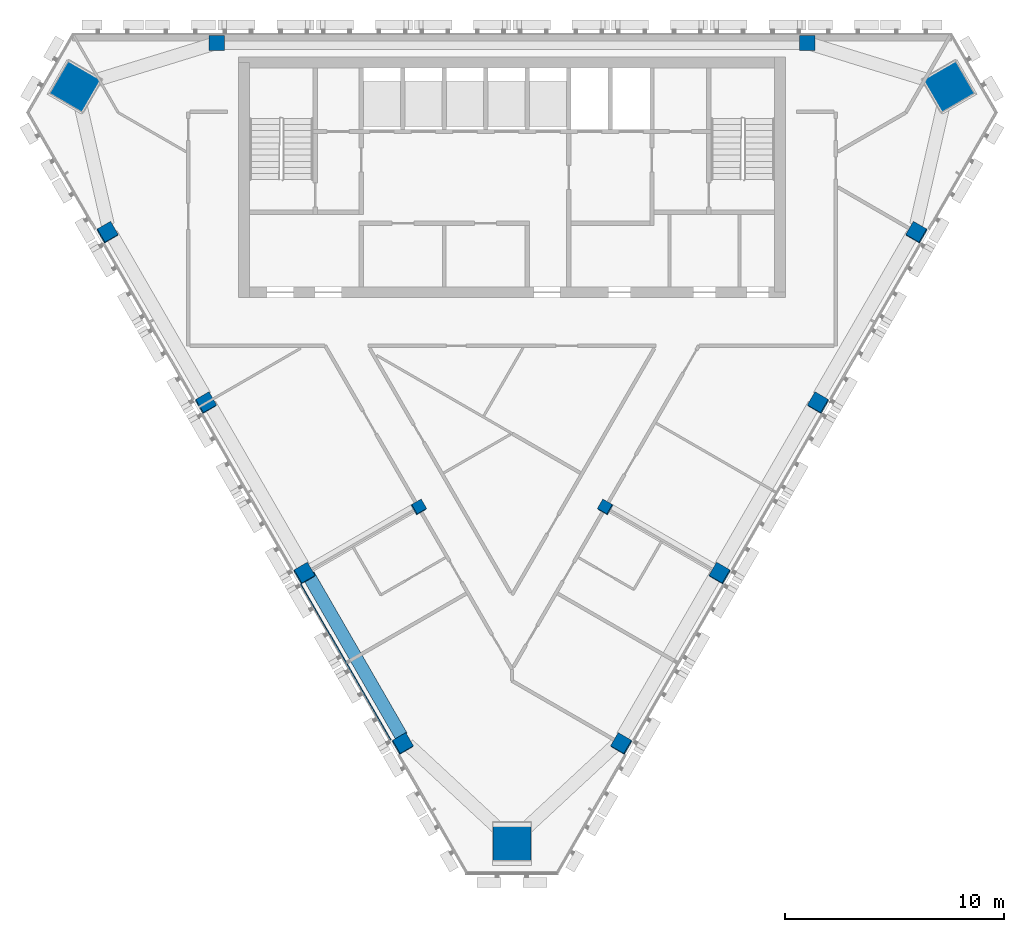
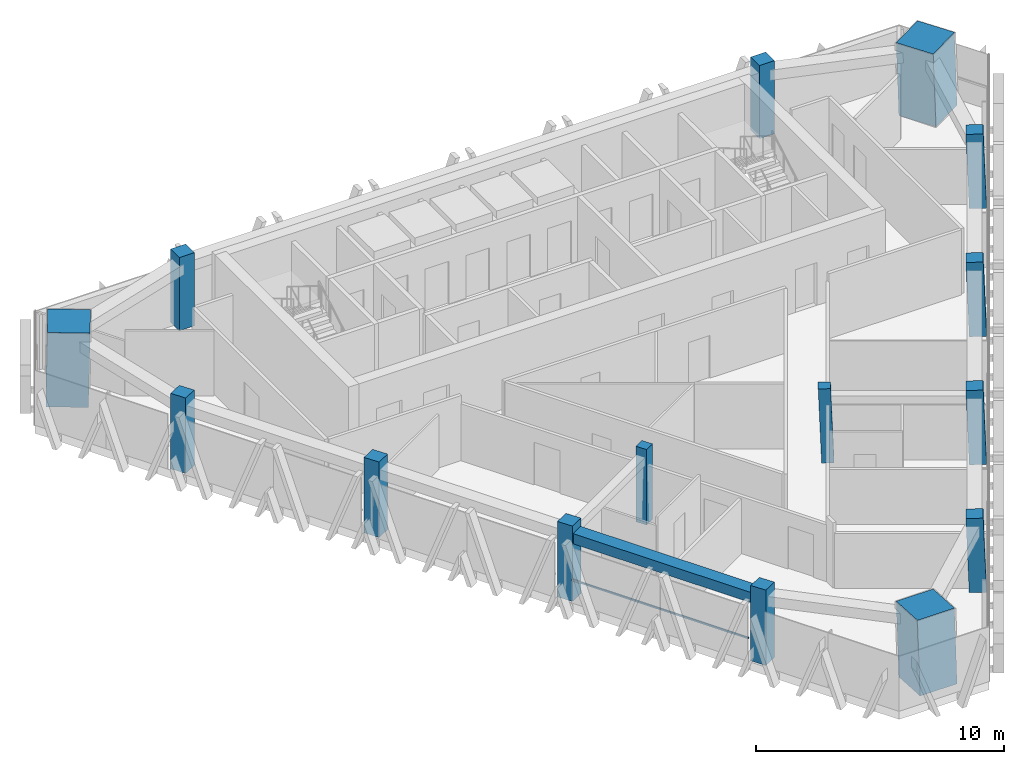
# One storey, part 1 of 12: 15 columns, 1 beam, 1 member, 1 element without a shape of its own.
"""IFC4 building model written with IfcOpenShell, lengths in metres."""

import ifcopenshell
import ifcopenshell.guid

model = None  # the IFC model being written
_history = None  # IfcOwnerHistory: only IFC2X3 demands one
_inside = {}  # id of a spatial element -> (the spatial element, [elements in it])
_under = {}  # id of a project, library or spatial element -> (it, [spatial elements below it])
_declared = {}  # id of a project -> (the project, [libraries it declares])
_typed = {}  # id of a type object -> (the type object, [elements of that type])
_made_of = {}  # id of a material, layer set ... -> (it, [elements and type objects made of it])


def new_model(schema):
    """Start an empty IFC model of exactly this schema.

    Asked for "IFC4X3", IfcOpenShell would pick the latest addendum, in which some entities
    have other attributes; the version numbers below select the first issue.
    IFC2X3 requires an IfcOwnerHistory on every rooted entity: one is made here for all.
    """
    global model, _history
    if schema == "IFC4X3":
        model = ifcopenshell.file(schema_version=(4, 3, 0, 0))
    else:
        model = ifcopenshell.file(schema=schema)
    _inside.clear()
    _under.clear()
    _declared.clear()
    _typed.clear()
    _made_of.clear()
    _history = None
    if model.schema == "IFC2X3":
        org = make("IfcOrganization", Name="unknown")
        user = make(
            "IfcPersonAndOrganization",
            ThePerson=make("IfcPerson", FamilyName="unknown"),
            TheOrganization=org,
        )
        app = make(
            "IfcApplication",
            ApplicationDeveloper=org,
            Version="unknown",
            ApplicationFullName="unknown",
            ApplicationIdentifier="unknown",
        )
        _history = make(
            "IfcOwnerHistory",
            OwningUser=user,
            OwningApplication=app,
            ChangeAction="ADDED",
            CreationDate=0,
        )
    return model


def make(cls, **values):
    """One entity of the class cls with the attributes given. An attribute that is None is left unset."""
    return model.create_entity(
        cls, **{name: value for name, value in values.items() if value is not None}
    )


def rooted(cls, **values):
    """An entity with a GlobalId (a new one), such as an element, a storey or a relation."""
    return make(cls, GlobalId=ifcopenshell.guid.new(), OwnerHistory=_history, **values)


def si_unit(unit_type, name, prefix=None):
    """IfcSIUnit, for example si_unit("LENGTHUNIT", "METRE", prefix="MILLI")."""
    return make("IfcSIUnit", UnitType=unit_type, Prefix=prefix, Name=name)


def assignment(units):
    """IfcUnitAssignment: the units of a project."""
    return None if units is None else make("IfcUnitAssignment", Units=units)


def point(xyz):
    """IfcCartesianPoint."""
    return None if xyz is None else make("IfcCartesianPoint", Coordinates=xyz)


def direction(xyz):
    """IfcDirection."""
    return None if xyz is None else make("IfcDirection", DirectionRatios=xyz)


def frame(location, z_axis=None, x_axis=None):
    """IfcAxis2Placement3D, a coordinate frame: its origin and axes. An axis left out is left unset."""
    return make(
        "IfcAxis2Placement3D",
        Location=point(location),
        Axis=direction(z_axis),
        RefDirection=direction(x_axis),
    )


def frame_2d(location, x_axis=None):
    """IfcAxis2Placement2D, a coordinate frame in the plane: its origin and x axis."""
    return make(
        "IfcAxis2Placement2D", Location=point(location), RefDirection=direction(x_axis)
    )


def origin():
    """The frame at (0, 0, 0) with its axes left unset."""
    return frame((0.0, 0.0, 0.0))


def origin_2d():
    """The frame at (0, 0) in the plane with its x axis left unset."""
    return frame_2d((0.0, 0.0))


def place(relative_to, where):
    """IfcLocalPlacement: puts the frame where relative to a parent placement (None: the world)."""
    return make(
        "IfcLocalPlacement", PlacementRelTo=relative_to, RelativePlacement=where
    )


def context(
    kind, dimensions, precision=None, world=None, true_north=None, identifier=None
):
    """IfcGeometricRepresentationContext, for example the 3D "Model" context."""
    return make(
        "IfcGeometricRepresentationContext",
        ContextIdentifier=identifier,
        ContextType=kind,
        CoordinateSpaceDimension=dimensions,
        Precision=precision,
        WorldCoordinateSystem=world,
        TrueNorth=true_north,
    )


def subcontext(parent, identifier, kind, view, scale=None):
    """IfcGeometricRepresentationSubContext, for example "Body" below "Model"."""
    return make(
        "IfcGeometricRepresentationSubContext",
        ContextIdentifier=identifier,
        ContextType=kind,
        ParentContext=parent,
        TargetScale=scale,
        TargetView=view,
    )


def project(units=None, contexts=None):
    """IfcProject with its units and contexts."""
    return rooted(
        "IfcProject",
        Name="project",
        RepresentationContexts=contexts,
        UnitsInContext=assignment(units),
    )


def spatial(cls, under=None, at=None, **own):
    """A site, building, storey or space (cls), placed at a placement, below another one or the project."""
    s = rooted(cls, ObjectPlacement=at, **own)
    if under is not None:
        _under.setdefault(under.id(), (under, []))[1].append(s)
    return s


def profile(cls, at=None, kind="AREA", **sizes):
    """A parametric profile (cls). Its sizes go by their IFC names, for example OverallWidth=200.0."""
    return make(cls, ProfileType=kind, Position=at, **sizes)


def rectangle(**sizes):
    """IfcRectangleProfileDef."""
    return profile("IfcRectangleProfileDef", **sizes)


def extrude(swept, where, along, depth):
    """IfcExtrudedAreaSolid: the profile swept, set in the frame where, extruded along a direction by depth."""
    return make(
        "IfcExtrudedAreaSolid",
        SweptArea=swept,
        Position=where,
        ExtrudedDirection=direction(along),
        Depth=depth,
    )


def shape(context_of_items, identifier, shape_type, items):
    """IfcShapeRepresentation: the items that make up one representation, for example the "Body"."""
    return make(
        "IfcShapeRepresentation",
        ContextOfItems=context_of_items,
        RepresentationIdentifier=identifier,
        RepresentationType=shape_type,
        Items=items,
    )


def material(Name=None, Category=None):
    """IfcMaterial."""
    return make("IfcMaterial", Name=Name, Category=Category)


def layer(
    of_material, thickness, ventilated=None, Name=None, Category=None, Priority=None
):
    """IfcMaterialLayer: one layer of a wall or slab, of a material (None: an air gap)."""
    return make(
        "IfcMaterialLayer",
        Material=of_material,
        LayerThickness=thickness,
        IsVentilated=ventilated,
        Name=Name,
        Category=Category,
        Priority=Priority,
    )


def layer_set(layers, Name=None):
    """IfcMaterialLayerSet."""
    return make("IfcMaterialLayerSet", MaterialLayers=layers, LayerSetName=Name)


def material_profile(
    of_material, cross_section, Name=None, Category=None, Priority=None
):
    """IfcMaterialProfile: a cross section and its material."""
    return make(
        "IfcMaterialProfile",
        Name=Name,
        Material=of_material,
        Profile=cross_section,
        Priority=Priority,
        Category=Category,
    )


def profile_set(profiles, Name=None, composite=None):
    """IfcMaterialProfileSet."""
    return make(
        "IfcMaterialProfileSet",
        Name=Name,
        MaterialProfiles=profiles,
        CompositeProfile=composite,
    )


def made_of(thing, what):
    """Note that an element or type object is made of a material, layer set ...; save() writes the relation."""
    if what is not None:
        _made_of.setdefault(what.id(), (what, []))[1].append(thing)
    return thing


def type_object(cls, material=None, **own):
    """A type object (cls), such as IfcWallType, which elements share."""
    return made_of(rooted(cls, **own), material)


def element(
    cls,
    number,
    at=None,
    inside=None,
    cuts=None,
    type_object=None,
    material=None,
    context=None,
    identifier="Body",
    shape_type=None,
    held_by="IfcProductDefinitionShape",
    body=None,
    shapes=None,
    **own,
):
    """One element of the class cls, such as IfcWall. Its Tag is "e" and its number.

    at: its placement. inside: the storey or other place that contains it. cuts: it is an
    opening in that element (IfcRelVoidsElement). A single representation is given by context,
    identifier, shape_type and body (its items); several are given by shapes. held_by: the class
    of the entity that holds the representations. save() writes the other relations.
    """
    e = rooted(cls, Tag="e%d" % number, ObjectPlacement=at, **own)
    if body is not None:
        shapes = [shape(context, identifier, shape_type, body)]
    if shapes is not None:
        e.Representation = make(held_by, Representations=shapes)
    if inside is not None:
        _inside.setdefault(inside.id(), (inside, []))[1].append(e)
    if cuts is not None:
        rooted(
            "IfcRelVoidsElement", RelatingBuildingElement=cuts, RelatedOpeningElement=e
        )
    if type_object is not None:
        _typed.setdefault(type_object.id(), (type_object, []))[1].append(e)
    return made_of(e, material)


def aggregate(whole, parts):
    """IfcRelAggregates: a whole, such as a stair, and the parts it consists of."""
    return rooted("IfcRelAggregates", RelatingObject=whole, RelatedObjects=parts)


def save(model, path):
    """Write the relations noted so far, then the file.

    IfcRelAggregates (storeys below a building ...), IfcRelContainedInSpatialStructure (elements
    in a storey), IfcRelDefinesByType, IfcRelAssociatesMaterial and IfcRelDeclares: one each for
    every whole, place, type object, material and project.
    """
    for whole, parts in _under.values():
        aggregate(whole, parts)
    for where, things in _inside.values():
        rooted(
            "IfcRelContainedInSpatialStructure",
            RelatedElements=things,
            RelatingStructure=where,
        )
    for kind, things in _typed.values():
        rooted("IfcRelDefinesByType", RelatedObjects=things, RelatingType=kind)
    for what, things in _made_of.values():
        rooted("IfcRelAssociatesMaterial", RelatedObjects=things, RelatingMaterial=what)
    for by, libraries in _declared.values():
        rooted("IfcRelDeclares", RelatingContext=by, RelatedDefinitions=libraries)
    model.write(path)


model = new_model("IFC4")

# Units and contexts
model_context = context("Model", 3, precision=1e-05, world=origin(), true_north=direction((0.0, 1.0)))
body_context = subcontext(model_context, "Body", "Model", "MODEL_VIEW")
ifc_project = project(units=[si_unit("LENGTHUNIT", "METRE"), si_unit("AREAUNIT", "SQUARE_METRE"), si_unit("VOLUMEUNIT", "CUBIC_METRE"), si_unit("PLANEANGLEUNIT", "RADIAN"), si_unit("MASSUNIT", "GRAM", prefix="KILO")], contexts=[model_context])

# Site, building, storey
site_placement = place(None, origin())
site = spatial("IfcSite", under=ifc_project, at=site_placement, CompositionType="ELEMENT")
building_placement = place(site_placement, origin())
building = spatial("IfcBuilding", under=site, at=building_placement, Name="Altiplano Prism Tower", CompositionType="ELEMENT")
storey_placement = place(building_placement, frame((0.0, 0.0, 298.60009765625)))
storey = spatial("IfcBuildingStorey", under=building, at=storey_placement, Name="L77", CompositionType="ELEMENT", Elevation=298.60009765625)

# Columns
ifc_material_1 = material(Name="Concrete C60/75", Category="concrete")
ifc_material_profile_1 = material_profile(ifc_material_1, rectangle(XDim=0.5, YDim=0.5, at=origin_2d()), Name="Inner column 500")
ifc_profile_set_1 = profile_set([ifc_material_profile_1], Name="Concrete C60/75")
column_type_1 = type_object("IfcColumnType", Name="Inner column 500", PredefinedType="COLUMN", material=ifc_profile_set_1)
for number, where, z_axis, x_axis, name in (
    (1, (80.72705078125, 83.304931640625, -0.01513671875), (0.022222910879, 0.038415824599, 0.999014697916), (-0.866021322354, -0.498527672539, 0.038434736118), "Inner column I13 L77"),
    (2, (89.27294921875, 83.304931640625, -0.01513671875), (-0.022222910879, 0.038415824599, 0.999014697916), (-0.499512974266, -0.866022161456, 0.022190187181), "Inner column I22 L77"),
):
    element("IfcColumn", number, at=place(storey_placement, frame(where, z_axis=z_axis, x_axis=x_axis)), inside=storey, type_object=column_type_1, Name=name, PredefinedType="COLUMN", context=body_context, shape_type="SweptSolid", body=[
        extrude(rectangle(XDim=0.5, YDim=0.5, at=origin_2d()), origin(), (0.0, 0.0, 1.0), 3.603515625),
    ])
ifc_material_2 = material(Name="Concrete C70/85", Category="concrete")
ifc_material_profile_2 = material_profile(ifc_material_2, rectangle(XDim=1.719970703125, YDim=1.719970703125, at=origin_2d()), Name="Mega column infill 1800")
ifc_profile_set_2 = profile_set([ifc_material_profile_2], Name="Concrete C70/85")
column_type_2 = type_object("IfcColumnType", Name="Mega column infill 1800", PredefinedType="COLUMN", material=ifc_profile_set_2)
column_1_placement = place(storey_placement, frame((64.967041015625, 102.534423828125, 0.0), z_axis=(0.028403739082, 0.009219352065, 0.999554016126), x_axis=(-0.865124358675, 0.501160044901, 0.019961298079)))
element("IfcColumn", 3, at=column_1_placement, inside=storey, type_object=column_type_2, Name="Mega column M0 L77", PredefinedType="COLUMN", context=body_context, shape_type="SweptSolid", body=[
    extrude(rectangle(XDim=1.719970703125, YDim=1.719970703125, at=origin_2d()), origin(), (0.0, 0.0, 1.0), 3.6015625),
])
column_2_placement = place(storey_placement, frame((85.0, 67.83642578125, 0.0), z_axis=(0.0, 0.058360852261, 0.998295552892), x_axis=(-1.0, 0.0, 0.0)))
element("IfcColumn", 4, at=column_2_placement, inside=storey, type_object=column_type_2, Name="Mega column M1 L77", PredefinedType="COLUMN", context=body_context, shape_type="SweptSolid", body=[
    extrude(rectangle(XDim=1.719970703125, YDim=1.719970703125, at=origin_2d()), origin(), (0.0, 0.0, 1.0), 3.60595703125),
])
column_3_placement = place(storey_placement, frame((105.032958984375, 102.534423828125, 0.0), z_axis=(-0.028403739082, 0.009219352065, 0.999554016126), x_axis=(0.500752505368, -0.865305502665, 0.022210705196)))
element("IfcColumn", 5, at=column_3_placement, inside=storey, type_object=column_type_2, Name="Mega column M2 L77", PredefinedType="COLUMN", context=body_context, shape_type="SweptSolid", body=[
    extrude(rectangle(XDim=1.719970703125, YDim=1.719970703125, at=origin_2d()), origin(), (0.0, 0.0, 1.0), 3.6015625),
])
ifc_material_profile_3 = material_profile(ifc_material_1, rectangle(XDim=0.699951171875, YDim=0.699951171875, at=origin_2d()), Name="Perimeter column 700")
ifc_profile_set_3 = profile_set([ifc_material_profile_3], Name="Concrete C60/75")
column_type_3 = type_object("IfcColumnType", Name="Perimeter column 700", PredefinedType="COLUMN", material=ifc_profile_set_3)
for number, where, z_axis, x_axis, name in (
    (6, (98.5, 104.550048828125, 0.0), (0.0, 0.0, 1.0), (1.0, 0.0, 0.0), "Perimeter column P01 L77"),
    (7, (71.5, 104.550048828125, 0.0), (0.0, 0.0, 1.0), (1.0, 0.0, 0.0), "Perimeter column P04 L77"),
):
    element("IfcColumn", number, at=place(storey_placement, frame(where, z_axis=z_axis, x_axis=x_axis)), inside=storey, type_object=column_type_3, Name=name, PredefinedType="COLUMN", context=body_context, shape_type="SweptSolid", body=[
        extrude(rectangle(XDim=0.699951171875, YDim=0.699951171875, at=origin_2d()), origin(), (0.0, 0.0, 1.0), 3.599853515625),
    ])
for number, where, z_axis, x_axis, name in (
    (8, (66.487548828125, 95.8681640625, -0.021240234375), (0.02215519141, 0.038415882353, 0.999016199807), (-0.86536461293, -0.499669007942, 0.038405327632), "Perimeter column P11 L77"),
    (9, (70.987548828125, 88.07373046875, -0.021240234375), (0.022155133694, 0.038483534979, 0.999013597298), (-0.864980799797, -0.500329233189, 0.038456136045), "Perimeter column P12 L77"),
    (10, (75.487548828125, 80.279541015625, -0.021240234375), (0.022155133694, 0.038483534979, 0.999013597298), (-0.864979679845, -0.500331165571, 0.038456185646), "Perimeter column P13 L77"),
    (11, (79.987548828125, 72.4853515625, -0.021240234375), (0.022155133694, 0.038483534979, 0.999013597298), (-0.864978122404, -0.500333852785, 0.038456254622), "Perimeter column P14 L77"),
    (12, (90.012451171875, 72.4853515625, -0.021240234375), (-0.022155133694, 0.038483534979, 0.999013597298), (-0.50132025474, -0.86497690911, 0.02220245243), "Perimeter column P21 L77"),
    (13, (94.512451171875, 80.279541015625, -0.021240234375), (-0.022155133694, 0.038483534979, 0.999013597298), (-0.501317567522, -0.864978463486, 0.022202571901), "Perimeter column P22 L77"),
    (14, (99.012451171875, 88.07373046875, -0.021240234375), (-0.022155133694, 0.038483534979, 0.999013597298), (-0.501315635138, -0.864979581234, 0.022202657813), "Perimeter column P23 L77"),
    (15, (103.512451171875, 95.8681640625, -0.021240234375), (-0.02215519141, 0.038415882353, 0.999016199807), (-0.500652808024, -0.865364144442, 0.02217348265), "Perimeter column P24 L77"),
):
    element("IfcColumn", number, at=place(storey_placement, frame(where, z_axis=z_axis, x_axis=x_axis)), inside=storey, type_object=column_type_3, Name=name, PredefinedType="COLUMN", context=body_context, shape_type="SweptSolid", body=[
        extrude(rectangle(XDim=0.699951171875, YDim=0.699951171875, at=origin_2d()), origin(), (0.0, 0.0, 1.0), 3.603515625),
    ])

# Curtain wall, member
ifc_material_3 = material(Name="Aluminium and glass", Category="aluminium")
ifc_layer = layer(ifc_material_3, 0.280029296875)
ifc_layer_set = layer_set([ifc_layer], Name="Aluminium and glass")
curtain_wall_type = type_object("IfcCurtainWallType", Name="CW1 typical co-living unitised curtain wall", PredefinedType="NOTDEFINED", material=ifc_layer_set)
curtain_wall_placement = place(storey_placement, origin())
curtain_wall = element("IfcCurtainWall", 16, at=curtain_wall_placement, inside=storey, type_object=curtain_wall_type, Name="CW1 curtain wall south-west face L77", PredefinedType="NOTDEFINED")
ifc_material_4 = material(Name="Aluminium", Category="aluminium")
ifc_material_profile_4 = material_profile(ifc_material_4, rectangle(XDim=0.06005859375, YDim=0.080078125, at=origin_2d()), Name="CW1 transom 80 x 60")
ifc_profile_set_4 = profile_set([ifc_material_profile_4], Name="Aluminium")
member_type = type_object("IfcMemberType", Name="CW1 transom 80 x 60", PredefinedType="USERDEFINED", material=ifc_profile_set_4)
member_placement = place(storey_placement, frame((75.334228515625, 79.786865234375, 1.099853515625), z_axis=(0.499991554064, -0.866030279993, 0.0), x_axis=(0.866030279993, 0.499991554064, 0.0)))
member = element("IfcMember", 17, at=member_placement, type_object=member_type, Name="CW1 transom", ObjectType="TRANSOM", PredefinedType="USERDEFINED", context=body_context, shape_type="SweptSolid", body=[
    extrude(rectangle(XDim=0.06005859375, YDim=0.080078125, at=origin_2d()), origin(), (0.0, 0.0, 1.0), 8.219970703125),
])
aggregate(curtain_wall, [member])

# Beam
ifc_material_profile_5 = material_profile(ifc_material_1, rectangle(XDim=0.60009765625, YDim=0.5, at=origin_2d()), Name="Edge beam 600x500")
ifc_profile_set_5 = profile_set([ifc_material_profile_5], Name="Concrete C60/75")
beam_type = type_object("IfcBeamType", Name="Edge beam 600x500", PredefinedType="SPANDREL", material=ifc_profile_set_5)
beam_placement = place(storey_placement, frame((75.682861328125, 80.2197265625, 2.949951171875), z_axis=(0.500007039007, -0.866021339774, 0.0), x_axis=(0.866021339774, 0.500007039007, 0.0)))
element("IfcBeam", 18, at=beam_placement, inside=storey, type_object=beam_type, Name="Edge beam P13-P14 L78", PredefinedType="SPANDREL", context=body_context, shape_type="SweptSolid", body=[
    extrude(rectangle(XDim=0.60009765625, YDim=0.5, at=origin_2d()), origin(), (0.0, 0.0, 1.0), 8.5400390625),
])

save(model, "model.ifc")
